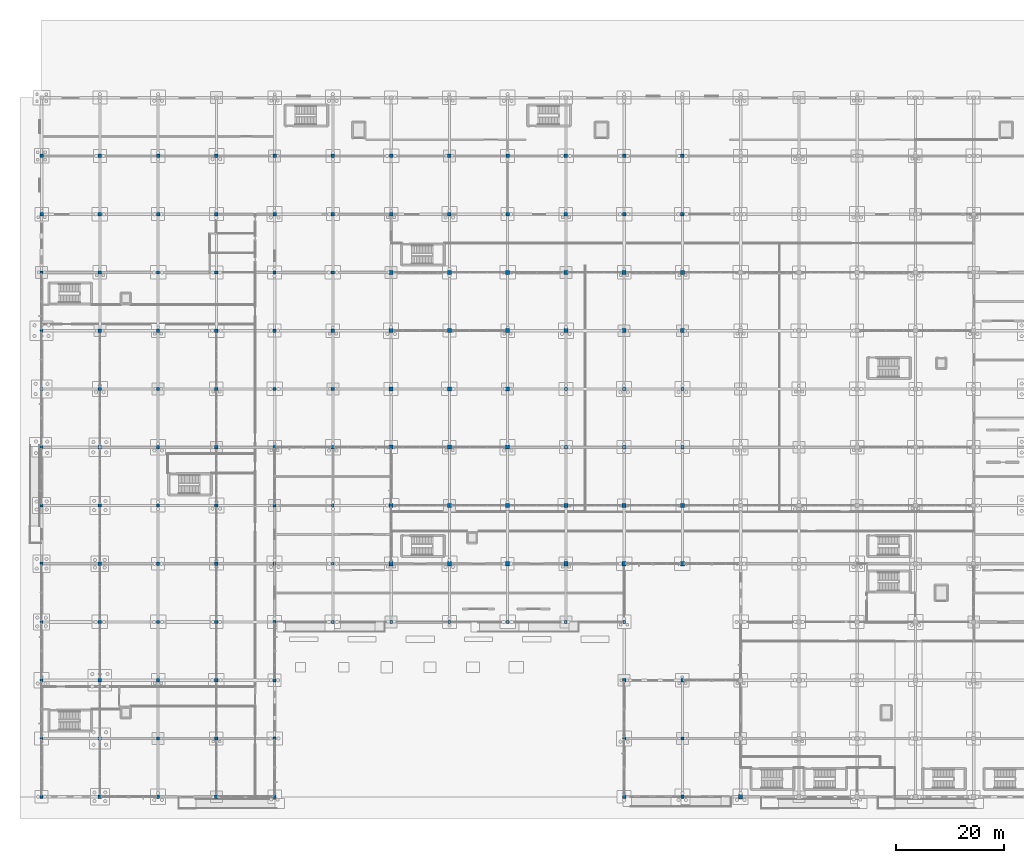
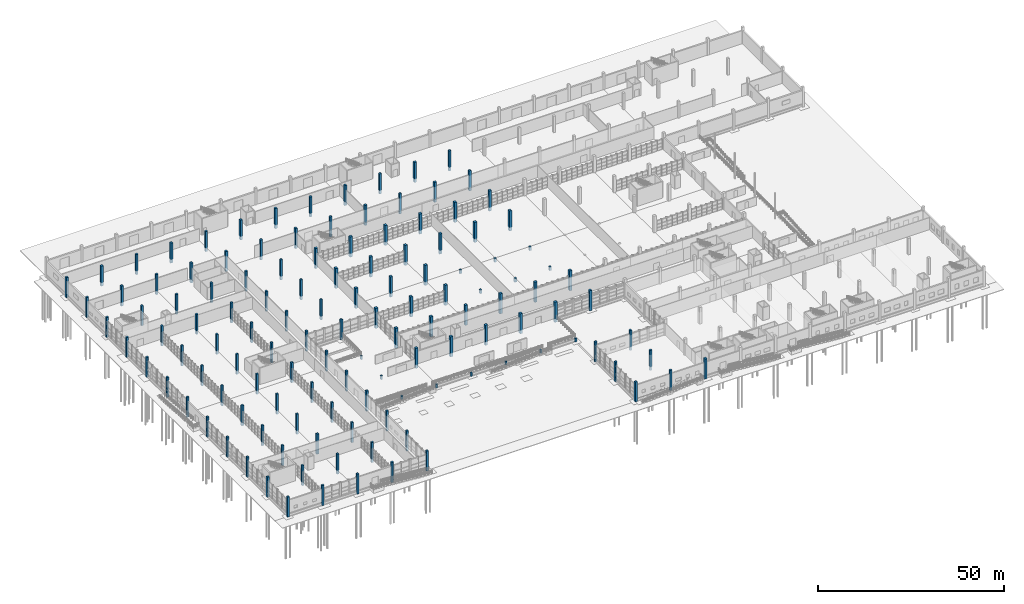
# One storey, part 8 of 138: 129 columns.
"""IFC4 building model written with IfcOpenShell, lengths in metres."""

from ifc_helpers import new_model, si_unit, direction, frame, origin, origin_2d, place, context, subcontext, project, spatial, rectangle, extrude, material, material_profile, profile_set, type_object, element, save


model = new_model("IFC4")

# Units and contexts
model_context = context("Model", 3, precision=1e-05, world=origin(), true_north=direction((0.0, 1.0)))
body_context = subcontext(model_context, "Body", "Model", "MODEL_VIEW")
ifc_project = project(units=[si_unit("LENGTHUNIT", "METRE"), si_unit("AREAUNIT", "SQUARE_METRE"), si_unit("VOLUMEUNIT", "CUBIC_METRE"), si_unit("PLANEANGLEUNIT", "RADIAN"), si_unit("MASSUNIT", "GRAM", prefix="KILO")], contexts=[model_context])

# Site, building, storey
site_placement = place(None, origin())
site = spatial("IfcSite", under=ifc_project, at=site_placement, CompositionType="ELEMENT")
building_placement = place(site_placement, origin())
building = spatial("IfcBuilding", under=site, at=building_placement, Name="Zwinboog Wholesale Market", CompositionType="ELEMENT")
storey_placement = place(building_placement, origin())
storey = spatial("IfcBuildingStorey", under=building, at=storey_placement, Name="L00", CompositionType="ELEMENT", Elevation=0.0)

# Columns
ifc_material = material(Name="Precast concrete C45/55", Category="concrete")
ifc_material_profile_1 = material_profile(ifc_material, rectangle(XDim=0.75, YDim=0.75, at=origin_2d()), Name="PC 750x750")
ifc_profile_set_1 = profile_set([ifc_material_profile_1], Name="Precast concrete C45/55")
column_type_1 = type_object("IfcColumnType", Name="CT-01", PredefinedType="COLUMN", material=ifc_profile_set_1)
for number, where, z_axis, x_axis, name in (
    (1, (64.800048828125, 43.199951171875, -1.199951171875), (0.0, 0.0, 1.0), (1.0, 0.0, 0.0), "C-01 (COL-L00-0149)"),
    (2, (64.800048828125, 54.0, -1.199951171875), (0.0, 0.0, 1.0), (1.0, 0.0, 0.0), "C-01 (COL-L00-0151)"),
    (3, (64.800048828125, 64.800048828125, -1.199951171875), (0.0, 0.0, 1.0), (1.0, 0.0, 0.0), "C-01 (COL-L00-0153)"),
    (4, (64.800048828125, 75.60009765625, -1.199951171875), (0.0, 0.0, 1.0), (1.0, 0.0, 0.0), "C-01 (COL-L00-0155)"),
    (5, (64.800048828125, 86.39990234375, -1.199951171875), (0.0, 0.0, 1.0), (1.0, 0.0, 0.0), "C-01 (COL-L00-0157)"),
    (6, (64.800048828125, 97.199951171875, -1.199951171875), (0.0, 0.0, 1.0), (1.0, 0.0, 0.0), "C-01 (COL-L00-0159)"),
    (7, (75.60009765625, 43.199951171875, -1.199951171875), (0.0, 0.0, 1.0), (1.0, 0.0, 0.0), "C-01 (COL-L00-0168)"),
    (8, (75.60009765625, 54.0, -1.199951171875), (0.0, 0.0, 1.0), (1.0, 0.0, 0.0), "C-01 (COL-L00-0170)"),
    (9, (75.60009765625, 64.800048828125, -1.199951171875), (0.0, 0.0, 1.0), (1.0, 0.0, 0.0), "C-01 (COL-L00-0172)"),
    (10, (75.60009765625, 75.60009765625, -1.199951171875), (0.0, 0.0, 1.0), (1.0, 0.0, 0.0), "C-01 (COL-L00-0174)"),
    (11, (75.60009765625, 86.39990234375, -1.199951171875), (0.0, 0.0, 1.0), (1.0, 0.0, 0.0), "C-01 (COL-L00-0176)"),
    (12, (75.60009765625, 97.199951171875, -1.199951171875), (0.0, 0.0, 1.0), (1.0, 0.0, 0.0), "C-01 (COL-L00-0178)"),
    (13, (86.39990234375, 43.199951171875, -1.199951171875), (0.0, 0.0, 1.0), (1.0, 0.0, 0.0), "C-01 (COL-L00-0187)"),
    (14, (86.39990234375, 54.0, -1.199951171875), (0.0, 0.0, 1.0), (1.0, 0.0, 0.0), "C-01 (COL-L00-0189)"),
    (15, (86.39990234375, 64.800048828125, -1.199951171875), (0.0, 0.0, 1.0), (1.0, 0.0, 0.0), "C-01 (COL-L00-0191)"),
    (16, (86.39990234375, 75.60009765625, -1.199951171875), (0.0, 0.0, 1.0), (1.0, 0.0, 0.0), "C-01 (COL-L00-0193)"),
    (17, (86.39990234375, 86.39990234375, -1.199951171875), (0.0, 0.0, 1.0), (1.0, 0.0, 0.0), "C-01 (COL-L00-0195)"),
    (18, (86.39990234375, 97.199951171875, -1.199951171875), (0.0, 0.0, 1.0), (1.0, 0.0, 0.0), "C-01 (COL-L00-0197)"),
    (19, (97.199951171875, 43.199951171875, -1.199951171875), (0.0, 0.0, 1.0), (1.0, 0.0, 0.0), "C-01 (COL-L00-0206)"),
    (20, (97.199951171875, 54.0, -1.199951171875), (0.0, 0.0, 1.0), (1.0, 0.0, 0.0), "C-01 (COL-L00-0208)"),
    (21, (97.199951171875, 86.39990234375, -1.199951171875), (0.0, 0.0, 1.0), (1.0, 0.0, 0.0), "C-01 (COL-L00-0212)"),
    (22, (97.199951171875, 97.199951171875, -1.199951171875), (0.0, 0.0, 1.0), (1.0, 0.0, 0.0), "C-01 (COL-L00-0214)"),
    (23, (108.0, 43.199951171875, -1.199951171875), (0.0, 0.0, 1.0), (1.0, 0.0, 0.0), "C-01 (COL-L00-0226)"),
    (24, (108.0, 54.0, -1.199951171875), (0.0, 0.0, 1.0), (1.0, 0.0, 0.0), "C-01 (COL-L00-0228)"),
    (25, (108.0, 86.39990234375, -1.199951171875), (0.0, 0.0, 1.0), (1.0, 0.0, 0.0), "C-01 (COL-L00-0232)"),
    (26, (108.0, 97.199951171875, -1.199951171875), (0.0, 0.0, 1.0), (1.0, 0.0, 0.0), "C-01 (COL-L00-0234)"),
    (27, (118.800048828125, 43.199951171875, -1.199951171875), (0.0, 0.0, 1.0), (1.0, 0.0, 0.0), "C-01 (COL-L00-0245)"),
    (28, (118.800048828125, 54.0, -1.199951171875), (0.0, 0.0, 1.0), (1.0, 0.0, 0.0), "C-01 (COL-L00-0247)"),
    (29, (118.800048828125, 86.39990234375, -1.199951171875), (0.0, 0.0, 1.0), (1.0, 0.0, 0.0), "C-01 (COL-L00-0251)"),
    (30, (118.800048828125, 97.199951171875, -1.199951171875), (0.0, 0.0, 1.0), (1.0, 0.0, 0.0), "C-01 (COL-L00-0253)"),
    (31, (129.60009765625, 0.0, -1.199951171875), (0.0, 0.0, 1.0), (1.0, 0.0, 0.0), "C-01 (COL-L00-0261)"),
):
    element("IfcColumn", number, at=place(storey_placement, frame(where, z_axis=z_axis, x_axis=x_axis)), inside=storey, type_object=column_type_1, Name=name, PredefinedType="COLUMN", context=body_context, shape_type="SweptSolid", body=[
        extrude(rectangle(XDim=0.75, YDim=0.75, at=origin_2d()), origin(), (0.0, 0.0, 1.0), 6.599853515625),
    ])
ifc_material_profile_2 = material_profile(ifc_material, rectangle(XDim=0.64990234375, YDim=0.64990234375, at=origin_2d()), Name="PC 650x650")
ifc_profile_set_2 = profile_set([ifc_material_profile_2], Name="Precast concrete C45/55")
column_type_2 = type_object("IfcColumnType", Name="CT-03", PredefinedType="COLUMN", material=ifc_profile_set_2)
for number, where, z_axis, x_axis, name in (
    (32, (0.0, 108.0, -1.199951171875), (0.0, 0.0, 1.0), (1.0, 0.0, 0.0), "C-03 (COL-L00-0021)"),
    (33, (0.0, 118.800048828125, -1.199951171875), (0.0, 0.0, 1.0), (1.0, 0.0, 0.0), "C-03 (COL-L00-0023)"),
    (34, (10.800048828125, 108.0, -1.199951171875), (0.0, 0.0, 1.0), (1.0, 0.0, 0.0), "C-03 (COL-L00-0047)"),
    (35, (10.800048828125, 118.800048828125, -1.199951171875), (0.0, 0.0, 1.0), (1.0, 0.0, 0.0), "C-03 (COL-L00-0049)"),
    (36, (21.60009765625, 108.0, -1.199951171875), (0.0, 0.0, 1.0), (1.0, 0.0, 0.0), "C-03 (COL-L00-0073)"),
    (37, (21.60009765625, 118.800048828125, -1.199951171875), (0.0, 0.0, 1.0), (1.0, 0.0, 0.0), "C-03 (COL-L00-0075)"),
    (38, (32.39990234375, 108.0, -1.199951171875), (0.0, 0.0, 1.0), (1.0, 0.0, 0.0), "C-03 (COL-L00-0099)"),
    (39, (32.39990234375, 118.800048828125, -1.199951171875), (0.0, 0.0, 1.0), (1.0, 0.0, 0.0), "C-03 (COL-L00-0101)"),
    (40, (43.199951171875, 108.0, -1.199951171875), (0.0, 0.0, 1.0), (1.0, 0.0, 0.0), "C-03 (COL-L00-0125)"),
    (41, (43.199951171875, 118.800048828125, -1.199951171875), (0.0, 0.0, 1.0), (1.0, 0.0, 0.0), "C-03 (COL-L00-0127)"),
    (42, (54.0, 108.0, -1.199951171875), (0.0, 0.0, 1.0), (1.0, 0.0, 0.0), "C-03 (COL-L00-0142)"),
    (43, (54.0, 118.800048828125, -1.199951171875), (0.0, 0.0, 1.0), (1.0, 0.0, 0.0), "C-03 (COL-L00-0144)"),
    (44, (64.800048828125, 108.0, -1.199951171875), (0.0, 0.0, 1.0), (1.0, 0.0, 0.0), "C-03 (COL-L00-0161)"),
    (45, (64.800048828125, 118.800048828125, -1.199951171875), (0.0, 0.0, 1.0), (1.0, 0.0, 0.0), "C-03 (COL-L00-0163)"),
    (46, (75.60009765625, 108.0, -1.199951171875), (0.0, 0.0, 1.0), (1.0, 0.0, 0.0), "C-03 (COL-L00-0180)"),
    (47, (75.60009765625, 118.800048828125, -1.199951171875), (0.0, 0.0, 1.0), (1.0, 0.0, 0.0), "C-03 (COL-L00-0182)"),
    (48, (86.39990234375, 108.0, -1.199951171875), (0.0, 0.0, 1.0), (1.0, 0.0, 0.0), "C-03 (COL-L00-0199)"),
    (49, (86.39990234375, 118.800048828125, -1.199951171875), (0.0, 0.0, 1.0), (1.0, 0.0, 0.0), "C-03 (COL-L00-0201)"),
    (50, (97.199951171875, 108.0, -1.199951171875), (0.0, 0.0, 1.0), (1.0, 0.0, 0.0), "C-03 (COL-L00-0216)"),
    (51, (97.199951171875, 118.800048828125, -1.199951171875), (0.0, 0.0, 1.0), (1.0, 0.0, 0.0), "C-03 (COL-L00-0218)"),
    (52, (108.0, 108.0, -1.199951171875), (0.0, 0.0, 1.0), (1.0, 0.0, 0.0), "C-03 (COL-L00-0236)"),
    (53, (108.0, 118.800048828125, -1.199951171875), (0.0, 0.0, 1.0), (1.0, 0.0, 0.0), "C-03 (COL-L00-0238)"),
    (54, (118.800048828125, 108.0, -1.199951171875), (0.0, 0.0, 1.0), (1.0, 0.0, 0.0), "C-03 (COL-L00-0255)"),
    (55, (118.800048828125, 118.800048828125, -1.199951171875), (0.0, 0.0, 1.0), (1.0, 0.0, 0.0), "C-03 (COL-L00-0257)"),
):
    element("IfcColumn", number, at=place(storey_placement, frame(where, z_axis=z_axis, x_axis=x_axis)), inside=storey, type_object=column_type_2, Name=name, PredefinedType="COLUMN", context=body_context, shape_type="SweptSolid", body=[
        extrude(rectangle(XDim=0.64990234375, YDim=0.64990234375, at=origin_2d()), origin(), (0.0, 0.0, 1.0), 6.599853515625),
    ])
ifc_material_profile_3 = material_profile(ifc_material, rectangle(XDim=0.60009765625, YDim=0.60009765625, at=origin_2d()), Name="PC 600x600")
ifc_profile_set_3 = profile_set([ifc_material_profile_3], Name="Precast concrete C45/55")
column_type_3 = type_object("IfcColumnType", Name="CT-04", PredefinedType="COLUMN", material=ifc_profile_set_3)
for number, where, z_axis, x_axis, name in (
    (56, (0.0, 0.0, -1.199951171875), (0.0, 0.0, 1.0), (1.0, 0.0, 0.0), "C-04 (COL-L00-0001)"),
    (57, (0.0, 10.800048828125, -1.199951171875), (0.0, 0.0, 1.0), (1.0, 0.0, 0.0), "C-04 (COL-L00-0003)"),
    (58, (0.0, 21.60009765625, -1.199951171875), (0.0, 0.0, 1.0), (1.0, 0.0, 0.0), "C-04 (COL-L00-0005)"),
    (59, (0.0, 32.39990234375, -1.199951171875), (0.0, 0.0, 1.0), (1.0, 0.0, 0.0), "C-04 (COL-L00-0007)"),
    (60, (0.0, 43.199951171875, -1.199951171875), (0.0, 0.0, 1.0), (1.0, 0.0, 0.0), "C-04 (COL-L00-0009)"),
    (61, (0.0, 54.0, -1.199951171875), (0.0, 0.0, 1.0), (1.0, 0.0, 0.0), "C-04 (COL-L00-0011)"),
    (62, (0.0, 64.800048828125, -1.199951171875), (0.0, 0.0, 1.0), (1.0, 0.0, 0.0), "C-04 (COL-L00-0013)"),
    (63, (0.0, 75.60009765625, -1.199951171875), (0.0, 0.0, 1.0), (1.0, 0.0, 0.0), "C-04 (COL-L00-0015)"),
    (64, (0.0, 86.39990234375, -1.199951171875), (0.0, 0.0, 1.0), (1.0, 0.0, 0.0), "C-04 (COL-L00-0017)"),
    (65, (0.0, 97.199951171875, -1.199951171875), (0.0, 0.0, 1.0), (1.0, 0.0, 0.0), "C-04 (COL-L00-0019)"),
    (66, (10.800048828125, 0.0, -1.199951171875), (0.0, 0.0, 1.0), (1.0, 0.0, 0.0), "C-04 (COL-L00-0027)"),
    (67, (10.800048828125, 10.800048828125, -1.199951171875), (0.0, 0.0, 1.0), (1.0, 0.0, 0.0), "C-04 (COL-L00-0029)"),
    (68, (10.800048828125, 21.60009765625, -1.199951171875), (0.0, 0.0, 1.0), (1.0, 0.0, 0.0), "C-04 (COL-L00-0031)"),
    (69, (10.800048828125, 32.39990234375, -1.199951171875), (0.0, 0.0, 1.0), (1.0, 0.0, 0.0), "C-04 (COL-L00-0033)"),
    (70, (10.800048828125, 43.199951171875, -1.199951171875), (0.0, 0.0, 1.0), (1.0, 0.0, 0.0), "C-04 (COL-L00-0035)"),
    (71, (10.800048828125, 54.0, -1.199951171875), (0.0, 0.0, 1.0), (1.0, 0.0, 0.0), "C-04 (COL-L00-0037)"),
    (72, (10.800048828125, 64.800048828125, -1.199951171875), (0.0, 0.0, 1.0), (1.0, 0.0, 0.0), "C-04 (COL-L00-0039)"),
    (73, (10.800048828125, 75.60009765625, -1.199951171875), (0.0, 0.0, 1.0), (1.0, 0.0, 0.0), "C-04 (COL-L00-0041)"),
    (74, (10.800048828125, 86.39990234375, -1.199951171875), (0.0, 0.0, 1.0), (1.0, 0.0, 0.0), "C-04 (COL-L00-0043)"),
    (75, (10.800048828125, 97.199951171875, -1.199951171875), (0.0, 0.0, 1.0), (1.0, 0.0, 0.0), "C-04 (COL-L00-0045)"),
    (76, (21.60009765625, 0.0, -1.199951171875), (0.0, 0.0, 1.0), (1.0, 0.0, 0.0), "C-04 (COL-L00-0053)"),
    (77, (21.60009765625, 10.800048828125, -1.199951171875), (0.0, 0.0, 1.0), (1.0, 0.0, 0.0), "C-04 (COL-L00-0055)"),
    (78, (21.60009765625, 21.60009765625, -1.199951171875), (0.0, 0.0, 1.0), (1.0, 0.0, 0.0), "C-04 (COL-L00-0057)"),
    (79, (21.60009765625, 32.39990234375, -1.199951171875), (0.0, 0.0, 1.0), (1.0, 0.0, 0.0), "C-04 (COL-L00-0059)"),
    (80, (21.60009765625, 43.199951171875, -1.199951171875), (0.0, 0.0, 1.0), (1.0, 0.0, 0.0), "C-04 (COL-L00-0061)"),
    (81, (21.60009765625, 54.0, -1.199951171875), (0.0, 0.0, 1.0), (1.0, 0.0, 0.0), "C-04 (COL-L00-0063)"),
    (82, (21.60009765625, 64.800048828125, -1.199951171875), (0.0, 0.0, 1.0), (1.0, 0.0, 0.0), "C-04 (COL-L00-0065)"),
    (83, (21.60009765625, 75.60009765625, -1.199951171875), (0.0, 0.0, 1.0), (1.0, 0.0, 0.0), "C-04 (COL-L00-0067)"),
    (84, (21.60009765625, 86.39990234375, -1.199951171875), (0.0, 0.0, 1.0), (1.0, 0.0, 0.0), "C-04 (COL-L00-0069)"),
    (85, (21.60009765625, 97.199951171875, -1.199951171875), (0.0, 0.0, 1.0), (1.0, 0.0, 0.0), "C-04 (COL-L00-0071)"),
    (86, (32.39990234375, 0.0, -1.199951171875), (0.0, 0.0, 1.0), (1.0, 0.0, 0.0), "C-04 (COL-L00-0079)"),
    (87, (32.39990234375, 10.800048828125, -1.199951171875), (0.0, 0.0, 1.0), (1.0, 0.0, 0.0), "C-04 (COL-L00-0081)"),
    (88, (32.39990234375, 21.60009765625, -1.199951171875), (0.0, 0.0, 1.0), (1.0, 0.0, 0.0), "C-04 (COL-L00-0083)"),
    (89, (32.39990234375, 32.39990234375, -1.199951171875), (0.0, 0.0, 1.0), (1.0, 0.0, 0.0), "C-04 (COL-L00-0085)"),
    (90, (32.39990234375, 43.199951171875, -1.199951171875), (0.0, 0.0, 1.0), (1.0, 0.0, 0.0), "C-04 (COL-L00-0087)"),
    (91, (32.39990234375, 54.0, -1.199951171875), (0.0, 0.0, 1.0), (1.0, 0.0, 0.0), "C-04 (COL-L00-0089)"),
    (92, (32.39990234375, 64.800048828125, -1.199951171875), (0.0, 0.0, 1.0), (1.0, 0.0, 0.0), "C-04 (COL-L00-0091)"),
    (93, (32.39990234375, 75.60009765625, -1.199951171875), (0.0, 0.0, 1.0), (1.0, 0.0, 0.0), "C-04 (COL-L00-0093)"),
    (94, (32.39990234375, 86.39990234375, -1.199951171875), (0.0, 0.0, 1.0), (1.0, 0.0, 0.0), "C-04 (COL-L00-0095)"),
    (95, (32.39990234375, 97.199951171875, -1.199951171875), (0.0, 0.0, 1.0), (1.0, 0.0, 0.0), "C-04 (COL-L00-0097)"),
    (96, (43.199951171875, 0.0, -1.199951171875), (0.0, 0.0, 1.0), (1.0, 0.0, 0.0), "C-04 (COL-L00-0105)"),
    (97, (43.199951171875, 10.800048828125, -1.199951171875), (0.0, 0.0, 1.0), (1.0, 0.0, 0.0), "C-04 (COL-L00-0107)"),
    (98, (43.199951171875, 21.60009765625, -1.199951171875), (0.0, 0.0, 1.0), (1.0, 0.0, 0.0), "C-04 (COL-L00-0109)"),
    (99, (43.199951171875, 32.39990234375, -1.199951171875), (0.0, 0.0, 1.0), (1.0, 0.0, 0.0), "C-04 (COL-L00-0111)"),
    (100, (43.199951171875, 43.199951171875, -1.199951171875), (0.0, 0.0, 1.0), (1.0, 0.0, 0.0), "C-04 (COL-L00-0113)"),
    (101, (43.199951171875, 54.0, -1.199951171875), (0.0, 0.0, 1.0), (1.0, 0.0, 0.0), "C-04 (COL-L00-0115)"),
    (102, (43.199951171875, 64.800048828125, -1.199951171875), (0.0, 0.0, 1.0), (1.0, 0.0, 0.0), "C-04 (COL-L00-0117)"),
    (103, (43.199951171875, 75.60009765625, -1.199951171875), (0.0, 0.0, 1.0), (1.0, 0.0, 0.0), "C-04 (COL-L00-0119)"),
    (104, (43.199951171875, 86.39990234375, -1.199951171875), (0.0, 0.0, 1.0), (1.0, 0.0, 0.0), "C-04 (COL-L00-0121)"),
    (105, (43.199951171875, 97.199951171875, -1.199951171875), (0.0, 0.0, 1.0), (1.0, 0.0, 0.0), "C-04 (COL-L00-0123)"),
    (106, (54.0, 64.800048828125, -1.199951171875), (0.0, 0.0, 1.0), (1.0, 0.0, 0.0), "C-04 (COL-L00-0134)"),
    (107, (54.0, 75.60009765625, -1.199951171875), (0.0, 0.0, 1.0), (1.0, 0.0, 0.0), "C-04 (COL-L00-0136)"),
    (108, (54.0, 86.39990234375, -1.199951171875), (0.0, 0.0, 1.0), (1.0, 0.0, 0.0), "C-04 (COL-L00-0138)"),
    (109, (54.0, 97.199951171875, -1.199951171875), (0.0, 0.0, 1.0), (1.0, 0.0, 0.0), "C-04 (COL-L00-0140)"),
):
    element("IfcColumn", number, at=place(storey_placement, frame(where, z_axis=z_axis, x_axis=x_axis)), inside=storey, type_object=column_type_3, Name=name, PredefinedType="COLUMN", context=body_context, shape_type="SweptSolid", body=[
        extrude(rectangle(XDim=0.60009765625, YDim=0.60009765625, at=origin_2d()), origin(), (0.0, 0.0, 1.0), 6.599853515625),
    ])
for number, where, z_axis, x_axis, name in (
    (110, (97.199951171875, 64.800048828125, -1.199951171875), (0.0, 0.0, 1.0), (1.0, 0.0, 0.0), "C-04 (COL-L00-0210)"),
    (111, (97.199951171875, 75.60009765625, -1.199951171875), (0.0, 0.0, 1.0), (1.0, 0.0, 0.0), "C-04 (COL-L00-0211)"),
):
    element("IfcColumn", number, at=place(storey_placement, frame(where, z_axis=z_axis, x_axis=x_axis)), inside=storey, type_object=column_type_3, Name=name, PredefinedType="COLUMN", context=body_context, shape_type="SweptSolid", body=[
        extrude(rectangle(XDim=0.60009765625, YDim=0.60009765625, at=origin_2d()), origin(), (0.0, 0.0, 1.0), 1.199951171875),
    ])
for number, where, z_axis, x_axis, name in (
    (112, (108.0, 0.0, -1.199951171875), (0.0, 0.0, 1.0), (1.0, 0.0, 0.0), "C-04 (COL-L00-0222)"),
    (113, (108.0, 10.800048828125, -1.199951171875), (0.0, 0.0, 1.0), (1.0, 0.0, 0.0), "C-04 (COL-L00-0223)"),
    (114, (108.0, 21.60009765625, -1.199951171875), (0.0, 0.0, 1.0), (1.0, 0.0, 0.0), "C-04 (COL-L00-0224)"),
):
    element("IfcColumn", number, at=place(storey_placement, frame(where, z_axis=z_axis, x_axis=x_axis)), inside=storey, type_object=column_type_3, Name=name, PredefinedType="COLUMN", context=body_context, shape_type="SweptSolid", body=[
        extrude(rectangle(XDim=0.60009765625, YDim=0.60009765625, at=origin_2d()), origin(), (0.0, 0.0, 1.0), 6.599853515625),
    ])
for number, where, z_axis, x_axis, name in (
    (115, (108.0, 64.800048828125, -1.199951171875), (0.0, 0.0, 1.0), (1.0, 0.0, 0.0), "C-04 (COL-L00-0230)"),
    (116, (108.0, 75.60009765625, -1.199951171875), (0.0, 0.0, 1.0), (1.0, 0.0, 0.0), "C-04 (COL-L00-0231)"),
):
    element("IfcColumn", number, at=place(storey_placement, frame(where, z_axis=z_axis, x_axis=x_axis)), inside=storey, type_object=column_type_3, Name=name, PredefinedType="COLUMN", context=body_context, shape_type="SweptSolid", body=[
        extrude(rectangle(XDim=0.60009765625, YDim=0.60009765625, at=origin_2d()), origin(), (0.0, 0.0, 1.0), 1.199951171875),
    ])
for number, where, z_axis, x_axis, name in (
    (117, (118.800048828125, 0.0, -1.199951171875), (0.0, 0.0, 1.0), (1.0, 0.0, 0.0), "C-04 (COL-L00-0242)"),
    (118, (118.800048828125, 10.800048828125, -1.199951171875), (0.0, 0.0, 1.0), (1.0, 0.0, 0.0), "C-04 (COL-L00-0243)"),
    (119, (118.800048828125, 21.60009765625, -1.199951171875), (0.0, 0.0, 1.0), (1.0, 0.0, 0.0), "C-04 (COL-L00-0244)"),
):
    element("IfcColumn", number, at=place(storey_placement, frame(where, z_axis=z_axis, x_axis=x_axis)), inside=storey, type_object=column_type_3, Name=name, PredefinedType="COLUMN", context=body_context, shape_type="SweptSolid", body=[
        extrude(rectangle(XDim=0.60009765625, YDim=0.60009765625, at=origin_2d()), origin(), (0.0, 0.0, 1.0), 6.599853515625),
    ])
for number, where, z_axis, x_axis, name in (
    (120, (118.800048828125, 64.800048828125, -1.199951171875), (0.0, 0.0, 1.0), (1.0, 0.0, 0.0), "C-04 (COL-L00-0249)"),
    (121, (118.800048828125, 75.60009765625, -1.199951171875), (0.0, 0.0, 1.0), (1.0, 0.0, 0.0), "C-04 (COL-L00-0250)"),
):
    element("IfcColumn", number, at=place(storey_placement, frame(where, z_axis=z_axis, x_axis=x_axis)), inside=storey, type_object=column_type_3, Name=name, PredefinedType="COLUMN", context=body_context, shape_type="SweptSolid", body=[
        extrude(rectangle(XDim=0.60009765625, YDim=0.60009765625, at=origin_2d()), origin(), (0.0, 0.0, 1.0), 1.199951171875),
    ])
ifc_material_profile_4 = material_profile(ifc_material, rectangle(XDim=0.5, YDim=0.5, at=origin_2d()), Name="PC 500x500")
ifc_profile_set_4 = profile_set([ifc_material_profile_4], Name="Precast concrete C45/55")
column_type_4 = type_object("IfcColumnType", Name="CT-06", PredefinedType="COLUMN", material=ifc_profile_set_4)
for number, where, z_axis, x_axis, name in (
    (122, (54.0, 32.39990234375, -1.199951171875), (0.0, 0.0, 1.0), (1.0, 0.0, 0.0), "C-06 (COL-L00-0131)"),
    (123, (54.0, 43.199951171875, -1.199951171875), (0.0, 0.0, 1.0), (1.0, 0.0, 0.0), "C-06 (COL-L00-0132)"),
    (124, (54.0, 54.0, -1.199951171875), (0.0, 0.0, 1.0), (1.0, 0.0, 0.0), "C-06 (COL-L00-0133)"),
    (125, (64.800048828125, 32.39990234375, -1.199951171875), (0.0, 0.0, 1.0), (1.0, 0.0, 0.0), "C-06 (COL-L00-0148)"),
    (126, (75.60009765625, 32.39990234375, -1.199951171875), (0.0, 0.0, 1.0), (1.0, 0.0, 0.0), "C-06 (COL-L00-0167)"),
    (127, (86.39990234375, 32.39990234375, -1.199951171875), (0.0, 0.0, 1.0), (1.0, 0.0, 0.0), "C-06 (COL-L00-0186)"),
    (128, (97.199951171875, 32.39990234375, -1.199951171875), (0.0, 0.0, 1.0), (1.0, 0.0, 0.0), "C-06 (COL-L00-0205)"),
    (129, (108.0, 32.39990234375, -1.199951171875), (0.0, 0.0, 1.0), (1.0, 0.0, 0.0), "C-06 (COL-L00-0225)"),
):
    element("IfcColumn", number, at=place(storey_placement, frame(where, z_axis=z_axis, x_axis=x_axis)), inside=storey, type_object=column_type_4, Name=name, PredefinedType="COLUMN", context=body_context, shape_type="SweptSolid", body=[
        extrude(rectangle(XDim=0.5, YDim=0.5, at=origin_2d()), origin(), (0.0, 0.0, 1.0), 1.199951171875),
    ])

save(model, "model.ifc")
